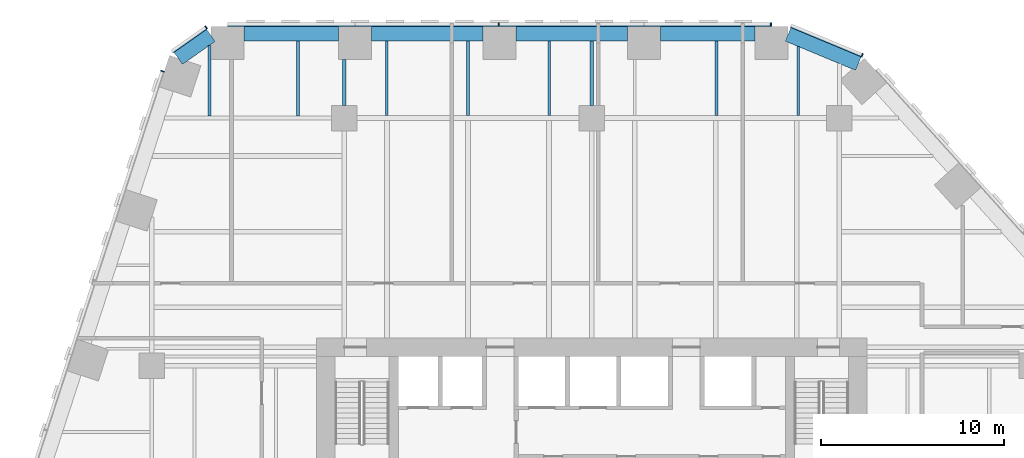
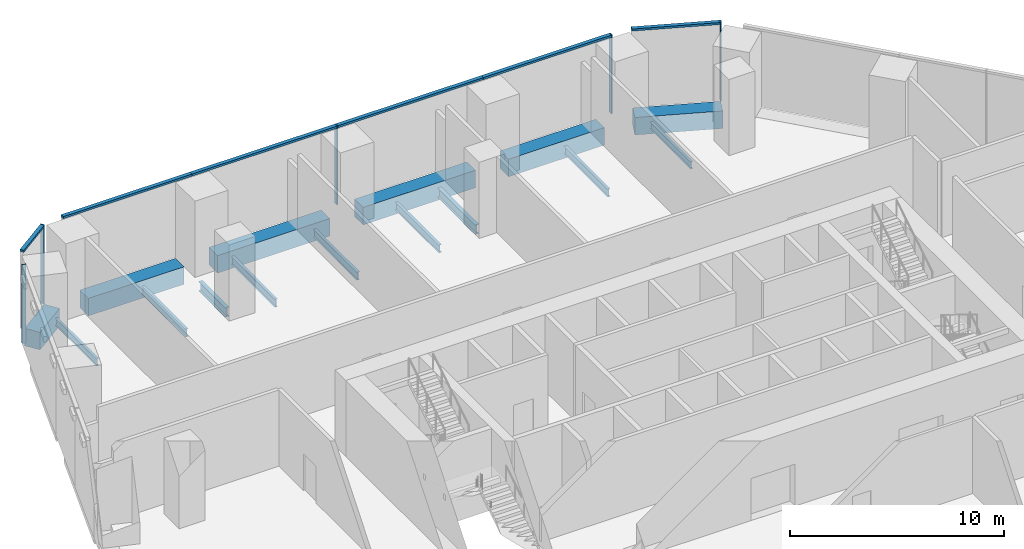
# One storey, part 12 of 19: 15 beams, 11 members, 4 elements without a shape of their own.
"""IFC4 building model written with IfcOpenShell, lengths in metres."""

from ifc_helpers import new_model, si_unit, direction, frame, origin, origin_2d, place, context, subcontext, project, spatial, rectangle, i_section, extrude, material, layer, layer_set, material_profile, profile_set, type_object, element, aggregate, save


model = new_model("IFC4")

# Units and contexts
model_context = context("Model", 3, precision=1e-05, world=origin(), true_north=direction((0.0, 1.0)))
body_context = subcontext(model_context, "Body", "Model", "MODEL_VIEW")
ifc_project = project(units=[si_unit("LENGTHUNIT", "METRE"), si_unit("AREAUNIT", "SQUARE_METRE"), si_unit("VOLUMEUNIT", "CUBIC_METRE"), si_unit("PLANEANGLEUNIT", "RADIAN"), si_unit("MASSUNIT", "GRAM", prefix="KILO")], contexts=[model_context])

# Site, building, storey
site_placement = place(None, origin())
site = spatial("IfcSite", under=ifc_project, at=site_placement, CompositionType="ELEMENT")
building_placement = place(site_placement, origin())
building = spatial("IfcBuilding", under=site, at=building_placement, Name="Isthmus Gate Tower", CompositionType="ELEMENT")
storey_placement = place(building_placement, frame((0.0, 0.0, 76.14990234375)))
storey = spatial("IfcBuildingStorey", under=building, at=storey_placement, Name="L17", CompositionType="ELEMENT", Elevation=76.14990234375)

# Curtain wall, members
ifc_material_1 = material(Name="Aluminium, pale champagne anodised", Category="aluminium")
ifc_layer = layer(ifc_material_1, 0.199951171875)
ifc_layer_set = layer_set([ifc_layer], Name="CW-2 LOUVRE CURTAIN WALL 200 DEEP")
curtain_wall_type = type_object("IfcCurtainWallType", Name="CW-2 LOUVRE CURTAIN WALL 200 DEEP", PredefinedType="NOTDEFINED", material=ifc_layer_set)
curtain_wall_1_placement = place(storey_placement, origin())
curtain_wall_1 = element("IfcCurtainWall", 1, at=curtain_wall_1_placement, inside=storey, type_object=curtain_wall_type, Name="CW-2 N L17", PredefinedType="NOTDEFINED")
ifc_material_2 = material(Name="Aluminium, pale champagne anodised", Category="aluminium")
ifc_material_profile_1 = material_profile(ifc_material_2, rectangle(XDim=0.06005859375, YDim=0.199951171875, at=origin_2d()), Name="60x200")
ifc_profile_set_1 = profile_set([ifc_material_profile_1], Name="Aluminium, pale champagne anodised")
member_type_1 = type_object("IfcMemberType", Name="CW-2 MULLION 60 X 200", PredefinedType="MULLION", material=ifc_profile_set_1)
member_1_placement = place(storey_placement, frame((9.77197265625, 32.10009765625, 0.0), z_axis=(0.0, 0.0, 1.0), x_axis=(-1.0, 0.0, 0.0)))
member_1 = element("IfcMember", 2, at=member_1_placement, type_object=member_type_1, Name="CW-2 mullion", PredefinedType="MULLION", context=body_context, shape_type="SweptSolid", body=[
    extrude(rectangle(XDim=0.06005859375, YDim=0.199951171875, at=origin_2d()), origin(), (0.0, 0.0, 1.0), 4.5),
])
member_2_placement = place(storey_placement, frame((-5.067138671875, 32.10009765625, 0.0), z_axis=(0.0, 0.0, 1.0), x_axis=(-1.0, 0.0, 0.0)))
member_2 = element("IfcMember", 3, at=member_2_placement, type_object=member_type_1, Name="CW-2 mullion", PredefinedType="MULLION", context=body_context, shape_type="SweptSolid", body=[
    extrude(rectangle(XDim=0.06005859375, YDim=0.199951171875, at=origin_2d()), origin(), (0.0, 0.0, 1.0), 4.5),
])

# Curtain wall, member
curtain_wall_2_placement = place(storey_placement, origin())
curtain_wall_2 = element("IfcCurtainWall", 4, at=curtain_wall_2_placement, inside=storey, type_object=curtain_wall_type, Name="CW-2 N-NW L17", PredefinedType="NOTDEFINED")
member_3_placement = place(storey_placement, frame((-21.031005859375, 31.943115234375, 0.0), z_axis=(0.0, 0.0, 1.0), x_axis=(-0.81785959165, -0.57541783805, 0.0)))
member_3 = element("IfcMember", 5, at=member_3_placement, type_object=member_type_1, Name="CW-2 mullion", PredefinedType="MULLION", context=body_context, shape_type="SweptSolid", body=[
    extrude(rectangle(XDim=0.06005859375, YDim=0.199951171875, at=origin_2d()), origin(), (0.0, 0.0, 1.0), 4.5),
])

curtain_wall_3_placement = place(storey_placement, origin())
curtain_wall_3 = element("IfcCurtainWall", 6, at=curtain_wall_3_placement, inside=storey, type_object=curtain_wall_type, Name="CW-2 NW L17", PredefinedType="NOTDEFINED")
member_4_placement = place(storey_placement, frame((-23.41162109375, 29.561279296875, 0.0), z_axis=(0.0, 0.0, 1.0), x_axis=(-0.309016994375, -0.951056516295, 0.0)))
member_4 = element("IfcMember", 7, at=member_4_placement, type_object=member_type_1, Name="CW-2 mullion", PredefinedType="MULLION", context=body_context, shape_type="SweptSolid", body=[
    extrude(rectangle(XDim=0.06005859375, YDim=0.199951171875, at=origin_2d()), origin(), (0.0, 0.0, 1.0), 4.5),
])
aggregate(curtain_wall_3, [member_4])

curtain_wall_4_placement = place(storey_placement, origin())
curtain_wall_4 = element("IfcCurtainWall", 8, at=curtain_wall_4_placement, inside=storey, type_object=curtain_wall_type, Name="CW-2 NE-N L17", PredefinedType="NOTDEFINED")
member_5_placement = place(storey_placement, frame((14.744140625, 30.427490234375, 0.0), z_axis=(0.0, 0.0, 1.0), x_axis=(-0.923353128387, 0.383951820282, 0.0)))
member_5 = element("IfcMember", 9, at=member_5_placement, type_object=member_type_1, Name="CW-2 mullion", PredefinedType="MULLION", context=body_context, shape_type="SweptSolid", body=[
    extrude(rectangle(XDim=0.06005859375, YDim=0.199951171875, at=origin_2d()), origin(), (0.0, 0.0, 1.0), 4.5),
])

# Member
ifc_material_3 = material(Name="Aluminium, pale champagne anodised", Category="aluminium")
ifc_material_profile_2 = material_profile(ifc_material_3, rectangle(XDim=0.199951171875, YDim=0.1201171875, at=origin_2d()), Name="200x120")
ifc_profile_set_2 = profile_set([ifc_material_profile_2], Name="Aluminium, pale champagne anodised")
member_type_2 = type_object("IfcMemberType", Name="CW-2 TRANSOM 200 X 120", PredefinedType="USERDEFINED", material=ifc_profile_set_2)
member_6_placement = place(storey_placement, frame((9.741943359375, 32.10009765625, 4.440185546875), z_axis=(-1.0, 0.0, 0.0), x_axis=(0.0, -1.0, 0.0)))
member_6 = element("IfcMember", 10, at=member_6_placement, type_object=member_type_2, Name="CW-2 transom", ObjectType="TRANSOM", PredefinedType="USERDEFINED", context=body_context, shape_type="SweptSolid", body=[
    extrude(rectangle(XDim=0.199951171875, YDim=0.1201171875, at=origin_2d()), origin(), (0.0, 0.0, 1.0), 6.90966796875),
])

member_7_placement = place(storey_placement, frame((2.832275390625, 32.10009765625, 4.440185546875), z_axis=(-1.0, 0.0, 0.0), x_axis=(0.0, -1.0, 0.0)))
member_7 = element("IfcMember", 11, at=member_7_placement, type_object=member_type_2, Name="CW-2 transom", ObjectType="TRANSOM", PredefinedType="USERDEFINED", context=body_context, shape_type="SweptSolid", body=[
    extrude(rectangle(XDim=0.199951171875, YDim=0.1201171875, at=origin_2d()), origin(), (0.0, 0.0, 1.0), 7.869384765625),
])

member_8_placement = place(storey_placement, frame((-5.09716796875, 32.10009765625, 4.440185546875), z_axis=(-1.0, 0.0, 0.0), x_axis=(0.0, -1.0, 0.0)))
member_8 = element("IfcMember", 12, at=member_8_placement, type_object=member_type_2, Name="CW-2 transom", ObjectType="TRANSOM", PredefinedType="USERDEFINED", context=body_context, shape_type="SweptSolid", body=[
    extrude(rectangle(XDim=0.199951171875, YDim=0.1201171875, at=origin_2d()), origin(), (0.0, 0.0, 1.0), 7.8095703125),
])

member_9_placement = place(storey_placement, frame((-12.90673828125, 32.10009765625, 4.440185546875), z_axis=(-1.0, 0.0, 0.0), x_axis=(0.0, -1.0, 0.0)))
member_9 = element("IfcMember", 13, at=member_9_placement, type_object=member_type_2, Name="CW-2 transom", ObjectType="TRANSOM", PredefinedType="USERDEFINED", context=body_context, shape_type="SweptSolid", body=[
    extrude(rectangle(XDim=0.199951171875, YDim=0.1201171875, at=origin_2d()), origin(), (0.0, 0.0, 1.0), 6.969482421875),
])

aggregate(curtain_wall_1, [member_1, member_6, member_7, member_2, member_8, member_9])

member_10_placement = place(storey_placement, frame((-21.055419921875, 31.92578125, 4.440185546875), z_axis=(-0.817868595604, -0.575405040233, 0.0), x_axis=(0.575405040233, -0.817868595604, 0.0)))
member_10 = element("IfcMember", 14, at=member_10_placement, type_object=member_type_2, Name="CW-2 transom", ObjectType="TRANSOM", PredefinedType="USERDEFINED", context=body_context, shape_type="SweptSolid", body=[
    extrude(rectangle(XDim=0.199951171875, YDim=0.1201171875, at=origin_2d()), origin(), (0.0, 0.0, 1.0), 2.258544921875),
])

aggregate(curtain_wall_2, [member_3, member_10])

member_11_placement = place(storey_placement, frame((14.716552734375, 30.43896484375, 4.440185546875), z_axis=(-0.923358236369, 0.383939536033, 0.0), x_axis=(-0.383939536033, -0.923358236369, 0.0)))
member_11 = element("IfcMember", 15, at=member_11_placement, type_object=member_type_2, Name="CW-2 transom", ObjectType="TRANSOM", PredefinedType="USERDEFINED", context=body_context, shape_type="SweptSolid", body=[
    extrude(rectangle(XDim=0.199951171875, YDim=0.1201171875, at=origin_2d()), origin(), (0.0, 0.0, 1.0), 4.181640625),
])

aggregate(curtain_wall_4, [member_5, member_11])

# Beams
ifc_material_4 = material(Name="Concrete f'c 70 MPa", Category="concrete")
ifc_material_profile_3 = material_profile(ifc_material_4, rectangle(XDim=0.800048828125, YDim=1.0, at=origin_2d()), Name="RC 800X1000")
ifc_profile_set_3 = profile_set([ifc_material_profile_3], Name="Concrete f'c 70 MPa")
beam_type_1 = type_object("IfcBeamType", Name="RC SPANDREL 800 X 1000", PredefinedType="SPANDREL", material=ifc_profile_set_3)
beam_1_placement = place(storey_placement, frame((10.701904296875, 31.56689453125, -0.5), z_axis=(0.923334166719, -0.383997417399, 0.0), x_axis=(0.383997417399, 0.923334166719, 0.0)))
element("IfcBeam", 16, at=beam_1_placement, inside=storey, type_object=beam_type_1, Name="str-spandrel-L17-00", PredefinedType="SPANDREL", context=body_context, shape_type="SweptSolid", body=[
    extrude(rectangle(XDim=0.800048828125, YDim=1.0, at=origin_2d()), origin(), (0.0, 0.0, 1.0), 4.15234375),
])
beam_2_placement = place(storey_placement, frame((-22.553466796875, 30.260498046875, -0.5), z_axis=(0.817857331203, 0.575421050882, 0.0), x_axis=(-0.575421050882, 0.817857331203, 0.0)))
element("IfcBeam", 17, at=beam_2_placement, inside=storey, type_object=beam_type_1, Name="str-spandrel-L17-22", PredefinedType="SPANDREL", context=body_context, shape_type="SweptSolid", body=[
    extrude(rectangle(XDim=0.800048828125, YDim=1.0, at=origin_2d()), origin(), (0.0, 0.0, 1.0), 2.173095703125),
])
beam_3_placement = place(storey_placement, frame((-18.976318359375, 31.60009765625, -0.5), z_axis=(1.0, 0.0, 0.0), x_axis=(0.0, 1.0, 0.0)))
element("IfcBeam", 18, at=beam_3_placement, inside=storey, type_object=beam_type_1, Name="str-spandrel-L17-23", PredefinedType="SPANDREL", context=body_context, shape_type="SweptSolid", body=[
    extrude(rectangle(XDim=0.800048828125, YDim=1.0, at=origin_2d()), origin(), (0.0, 0.0, 1.0), 5.169677734375),
])
beam_4_placement = place(storey_placement, frame((-12.006591796875, 31.60009765625, -0.5), z_axis=(1.0, 0.0, 0.0), x_axis=(0.0, 1.0, 0.0)))
element("IfcBeam", 19, at=beam_4_placement, inside=storey, type_object=beam_type_1, Name="str-spandrel-L17-24", PredefinedType="SPANDREL", context=body_context, shape_type="SweptSolid", body=[
    extrude(rectangle(XDim=0.800048828125, YDim=1.0, at=origin_2d()), origin(), (0.0, 0.0, 1.0), 6.0693359375),
])
beam_5_placement = place(storey_placement, frame((-4.13720703125, 31.60009765625, -0.5), z_axis=(1.0, 0.0, 0.0), x_axis=(0.0, 1.0, 0.0)))
element("IfcBeam", 20, at=beam_5_placement, inside=storey, type_object=beam_type_1, Name="str-spandrel-L17-25", PredefinedType="SPANDREL", context=body_context, shape_type="SweptSolid", body=[
    extrude(rectangle(XDim=0.800048828125, YDim=1.0, at=origin_2d()), origin(), (0.0, 0.0, 1.0), 6.069580078125),
])
beam_6_placement = place(storey_placement, frame((3.732421875, 31.60009765625, -0.5), z_axis=(1.0, 0.0, 0.0), x_axis=(0.0, 1.0, 0.0)))
element("IfcBeam", 21, at=beam_6_placement, inside=storey, type_object=beam_type_1, Name="str-spandrel-L17-26", PredefinedType="SPANDREL", context=body_context, shape_type="SweptSolid", body=[
    extrude(rectangle(XDim=0.800048828125, YDim=1.0, at=origin_2d()), origin(), (0.0, 0.0, 1.0), 5.16943359375),
])
ifc_material_5 = material(Name="Structural steel ASTM A992 Gr 50", Category="steel")
ifc_material_profile_4 = material_profile(ifc_material_5, i_section(OverallWidth=0.1396484375, OverallDepth=0.4033203125, WebThickness=0.00634765625, FlangeThickness=0.010986328125, at=origin_2d()), Name="W16X31")
ifc_profile_set_4 = profile_set([ifc_material_profile_4], Name="Structural steel ASTM A992 Gr 50")
beam_type_2 = type_object("IfcBeamType", Name="STEEL FLOOR BEAM W16X31", PredefinedType="JOIST", material=ifc_profile_set_4)
beam_7_placement = place(storey_placement, frame((-20.846435546875, 27.1142578125, -0.50146484375), z_axis=(0.0, 1.0, 0.0), x_axis=(-1.0, 0.0, 0.0)))
element("IfcBeam", 22, at=beam_7_placement, inside=storey, type_object=beam_type_2, Name="str-beam-L17-08-00", PredefinedType="JOIST", context=body_context, shape_type="SweptSolid", body=[
    extrude(i_section(OverallWidth=0.1396484375, OverallDepth=0.4033203125, WebThickness=0.00634765625, FlangeThickness=0.010986328125, at=origin_2d()), origin(), (0.0, 0.0, 1.0), 3.858154296875),
])
beam_8_placement = place(storey_placement, frame((11.267578125, 27.1318359375, -0.50146484375), z_axis=(0.0, 1.0, 0.0), x_axis=(-1.0, 0.0, 0.0)))
element("IfcBeam", 23, at=beam_8_placement, inside=storey, type_object=beam_type_2, Name="str-beam-L17-19-02", PredefinedType="JOIST", context=body_context, shape_type="SweptSolid", body=[
    extrude(i_section(OverallWidth=0.1396484375, OverallDepth=0.4033203125, WebThickness=0.00634765625, FlangeThickness=0.010986328125, at=origin_2d()), origin(), (0.0, 0.0, 1.0), 3.7666015625),
])
ifc_material_6 = material(Name="Structural steel ASTM A992 Gr 50", Category="steel")
ifc_material_profile_5 = material_profile(ifc_material_6, i_section(OverallWidth=0.15234375, OverallDepth=0.45068359375, WebThickness=0.0078125, FlangeThickness=0.010986328125, at=origin_2d()), Name="W18X35")
ifc_profile_set_5 = profile_set([ifc_material_profile_5], Name="Structural steel ASTM A992 Gr 50")
beam_type_3 = type_object("IfcBeamType", Name="STEEL FLOOR BEAM W18X35", PredefinedType="JOIST", material=ifc_profile_set_5)
beam_9_placement = place(storey_placement, frame((-16.0185546875, 27.1142578125, -0.525390625), z_axis=(0.0, 1.0, 0.0), x_axis=(-1.0, 0.0, 0.0)))
element("IfcBeam", 24, at=beam_9_placement, inside=storey, type_object=beam_type_3, Name="str-beam-L17-08-01", PredefinedType="JOIST", context=body_context, shape_type="SweptSolid", body=[
    extrude(i_section(OverallWidth=0.15234375, OverallDepth=0.45068359375, WebThickness=0.0078125, FlangeThickness=0.010986328125, at=origin_2d()), origin(), (0.0, 0.0, 1.0), 4.085693359375),
])
for number, where, z_axis, x_axis, name in (
    (25, (-11.18017578125, 27.1318359375, -0.525390625), (0.0, 1.0, 0.0), (-1.0, 0.0, 0.0), "str-beam-L17-14-00"),
    (26, (-6.75, 27.1318359375, -0.525390625), (0.0, 1.0, 0.0), (-1.0, 0.0, 0.0), "str-beam-L17-14-01"),
    (27, (-2.31982421875, 27.1318359375, -0.525390625), (0.0, 1.0, 0.0), (-1.0, 0.0, 0.0), "str-beam-L17-14-02"),
    (28, (6.802490234375, 27.1318359375, -0.525390625), (0.0, 1.0, 0.0), (-1.0, 0.0, 0.0), "str-beam-L17-19-01"),
):
    element("IfcBeam", number, at=place(storey_placement, frame(where, z_axis=z_axis, x_axis=x_axis)), inside=storey, type_object=beam_type_3, Name=name, PredefinedType="JOIST", context=body_context, shape_type="SweptSolid", body=[
        extrude(i_section(OverallWidth=0.15234375, OverallDepth=0.45068359375, WebThickness=0.0078125, FlangeThickness=0.010986328125, at=origin_2d()), origin(), (0.0, 0.0, 1.0), 4.068115234375),
    ])
ifc_material_7 = material(Name="Structural steel ASTM A992 Gr 50", Category="steel")
ifc_material_profile_6 = material_profile(ifc_material_7, i_section(OverallWidth=0.20947265625, OverallDepth=0.533447265625, WebThickness=0.009521484375, FlangeThickness=0.015869140625, at=origin_2d()), Name="W21X62")
ifc_profile_set_6 = profile_set([ifc_material_profile_6], Name="Structural steel ASTM A992 Gr 50")
beam_type_4 = type_object("IfcBeamType", Name="STEEL GIRDER W21X62", PredefinedType="BEAM", material=ifc_profile_set_6)
beam_10_placement = place(storey_placement, frame((-13.5, 27.699951171875, -0.566650390625), z_axis=(0.0, 1.0, 0.0), x_axis=(-1.0, 0.0, 0.0)))
element("IfcBeam", 29, at=beam_10_placement, inside=storey, type_object=beam_type_4, Name="str-girder-L17-27", PredefinedType="BEAM", context=body_context, shape_type="SweptSolid", body=[
    extrude(i_section(OverallWidth=0.20947265625, OverallDepth=0.533447265625, WebThickness=0.009521484375, FlangeThickness=0.015869140625, at=origin_2d()), origin(), (0.0, 0.0, 1.0), 2.5),
])
beam_11_placement = place(storey_placement, frame((0.0, 27.699951171875, -0.566650390625), z_axis=(0.0, 1.0, 0.0), x_axis=(-1.0, 0.0, 0.0)))
element("IfcBeam", 30, at=beam_11_placement, inside=storey, type_object=beam_type_4, Name="str-girder-L17-30", PredefinedType="BEAM", context=body_context, shape_type="SweptSolid", body=[
    extrude(i_section(OverallWidth=0.20947265625, OverallDepth=0.533447265625, WebThickness=0.009521484375, FlangeThickness=0.015869140625, at=origin_2d()), origin(), (0.0, 0.0, 1.0), 3.5),
])

save(model, "model.ifc")
